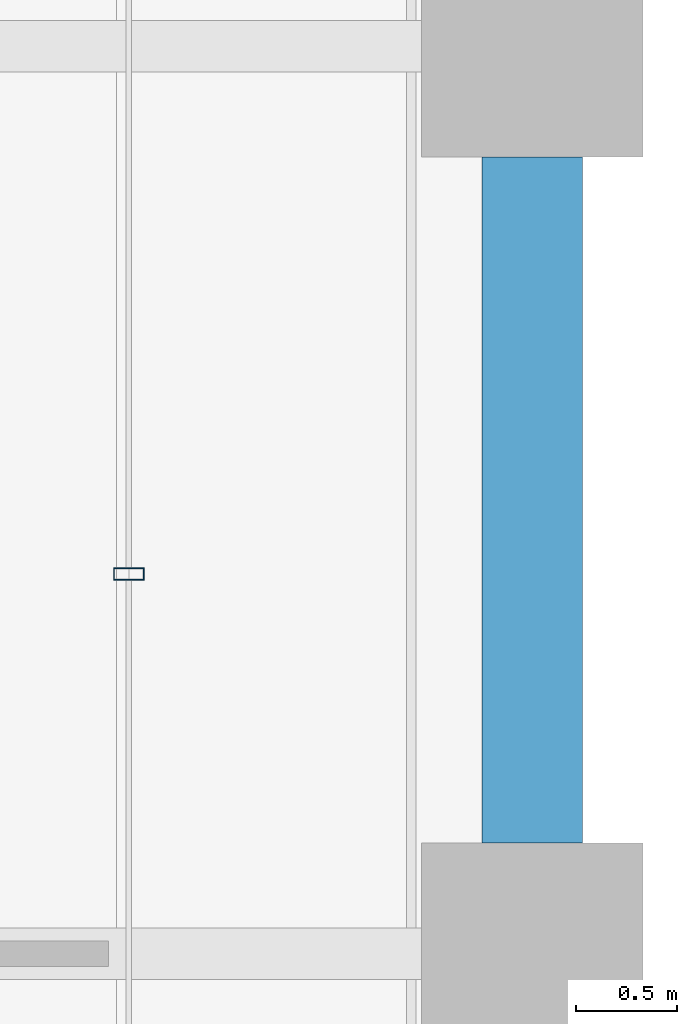
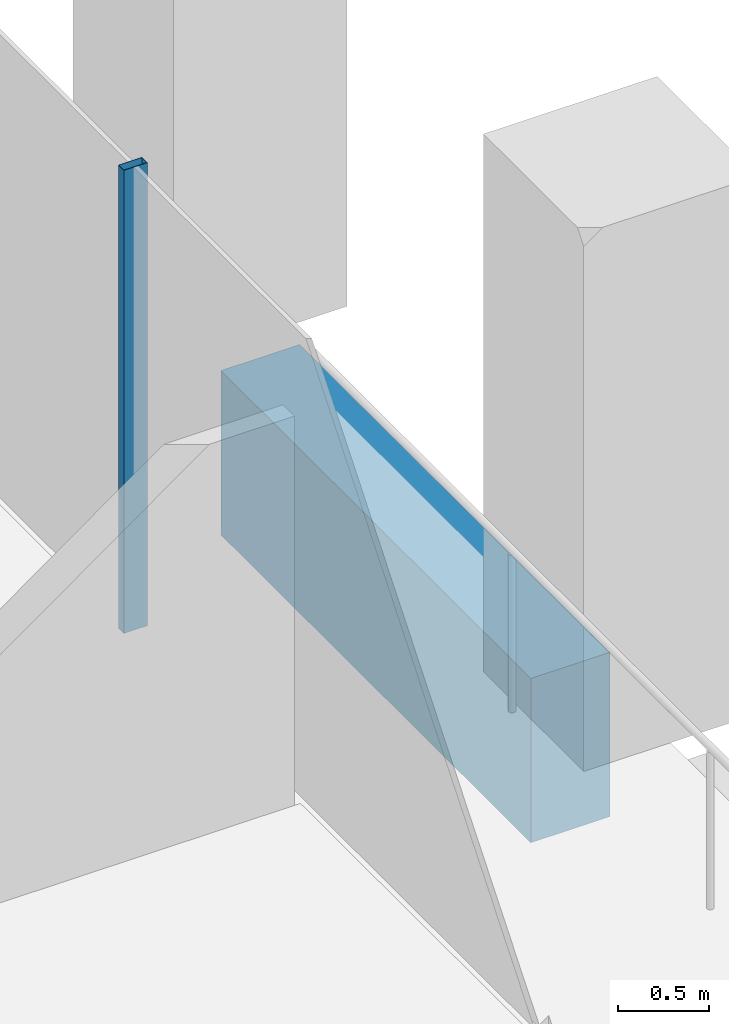
# One storey, part 20 of 56: 1 beam, 1 member, 1 element without a shape of its own.
"""IFC4 building model written with IfcOpenShell, lengths in metres."""

from ifc_helpers import new_model, si_unit, direction, frame, origin, origin_2d, place, context, subcontext, project, spatial, rectangle, hollow_rectangle, extrude, material, material_profile, profile_set, type_object, element, aggregate, save


model = new_model("IFC4")

# Units and contexts
model_context = context("Model", 3, precision=1e-05, world=origin(), true_north=direction((0.0, 1.0)))
body_context = subcontext(model_context, "Body", "Model", "MODEL_VIEW")
ifc_project = project(units=[si_unit("LENGTHUNIT", "METRE"), si_unit("AREAUNIT", "SQUARE_METRE"), si_unit("VOLUMEUNIT", "CUBIC_METRE"), si_unit("PLANEANGLEUNIT", "RADIAN"), si_unit("MASSUNIT", "GRAM", prefix="KILO")], contexts=[model_context])

# Site, building, storey
site_placement = place(None, origin())
site = spatial("IfcSite", under=ifc_project, at=site_placement, CompositionType="ELEMENT")
building_placement = place(site_placement, origin())
building = spatial("IfcBuilding", under=site, at=building_placement, Name="Altepetl Exchange Towers", CompositionType="ELEMENT")
storey_placement = place(building_placement, frame((0.0, 0.0, 83.39990234375)))
storey = spatial("IfcBuildingStorey", under=building, at=storey_placement, Name="L20", CompositionType="ELEMENT", Elevation=83.39990234375)

# Curtain wall, member
ifc_material_1 = material(Name="Aluminium 6063-T6 glazing", Category="aluminium")
curtain_wall_type = type_object("IfcCurtainWallType", Name="Loggia glazing system", PredefinedType="NOTDEFINED", material=ifc_material_1)
curtain_wall_placement = place(storey_placement, origin())
curtain_wall = element("IfcCurtainWall", 1, at=curtain_wall_placement, inside=storey, type_object=curtain_wall_type, Name="CW1 run", PredefinedType="NOTDEFINED")
ifc_material_2 = material(Name="Aluminium 6063-T6", Category="aluminium")
ifc_material_profile_1 = material_profile(ifc_material_2, hollow_rectangle(XDim=0.06005859375, YDim=0.14990234375, WallThickness=0.0029296875, at=origin_2d()), Name="Mullion 60x150 aluminium")
ifc_profile_set_1 = profile_set([ifc_material_profile_1], Name="Aluminium 6063-T6")
member_type = type_object("IfcMemberType", Name="Mullion 60x150 aluminium", PredefinedType="MULLION", material=ifc_profile_set_1)
member_placement = place(storey_placement, frame((70.0, 46.883056640625, 0.0), z_axis=(0.0, 0.0, 1.0), x_axis=(0.0, 1.0, 0.0)))
member = element("IfcMember", 2, at=member_placement, type_object=member_type, Name="MU1 mullion", PredefinedType="MULLION", context=body_context, shape_type="SweptSolid", body=[
    extrude(hollow_rectangle(XDim=0.06005859375, YDim=0.14990234375, WallThickness=0.0029296875, at=origin_2d()), origin(), (0.0, 0.0, 1.0), 3.10009765625),
])
aggregate(curtain_wall, [member])

# Beam
ifc_material_3 = material(Name="Concrete C50/60 precast with cantera amarilla facing", Category="concrete")
ifc_material_profile_2 = material_profile(ifc_material_3, rectangle(XDim=0.5, YDim=1.10009765625, at=origin_2d()), Name="500 x 1100")
ifc_profile_set_2 = profile_set([ifc_material_profile_2], Name="Concrete C50/60 precast with cantera amarilla facing")
beam_type = type_object("IfcBeamType", Name="Spandrel beam 500x1100 cantera amarilla", PredefinedType="SPANDREL", material=ifc_profile_set_2)
beam_placement = place(storey_placement, frame((72.0, 45.550048828125, -0.699951171875), z_axis=(0.0, 1.0, 0.0), x_axis=(-1.0, 0.0, 0.0)))
element("IfcBeam", 3, at=beam_placement, inside=storey, type_object=beam_type, Name="sp:A:L20:015", PredefinedType="SPANDREL", context=body_context, shape_type="SweptSolid", body=[
    extrude(rectangle(XDim=0.5, YDim=1.10009765625, at=origin_2d()), origin(), (0.0, 0.0, 1.0), 3.39990234375),
])

save(model, "model.ifc")
